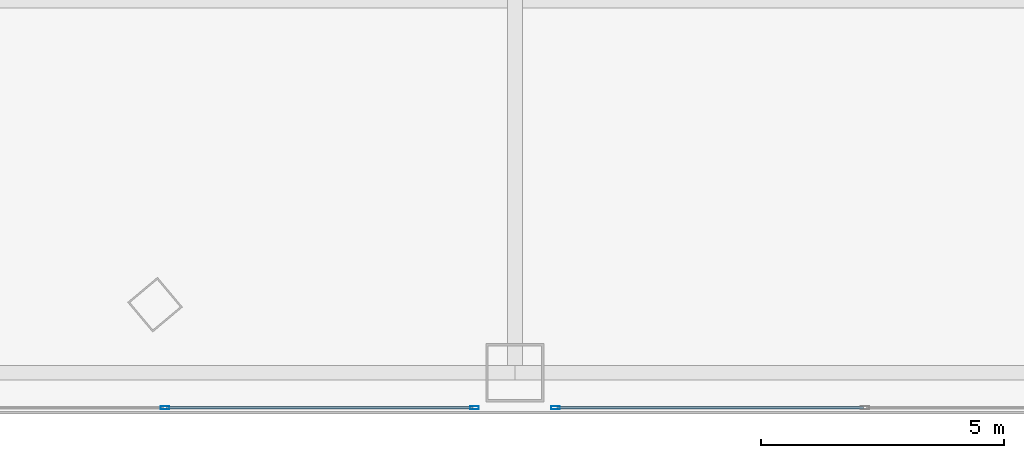
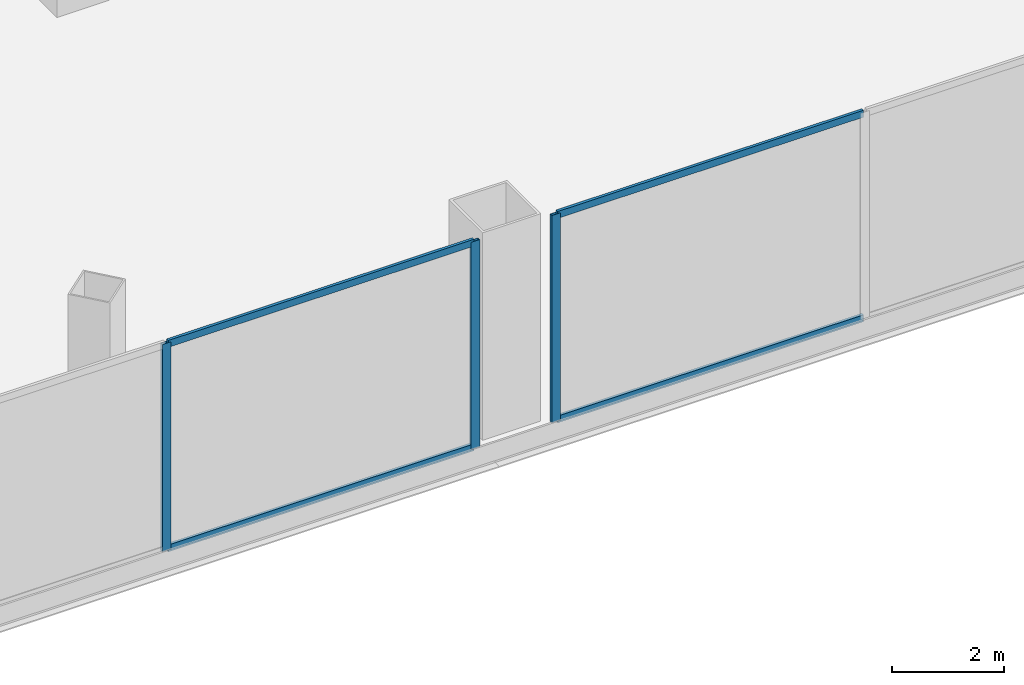
# One storey, part 13 of 40: 7 members, 2 elements without a shape of their own.
"""IFC4 building model written with IfcOpenShell, lengths in metres."""

from ifc_helpers import new_model, si_unit, direction, frame, origin, origin_2d, place, context, subcontext, project, spatial, hollow_rectangle, extrude, source, transform, mapped, material, layer, layer_set, material_profile, profile_set, type_object, element, aggregate, save


model = new_model("IFC4")

# Units and contexts
model_context = context("Model", 3, precision=1e-05, world=origin(), true_north=direction((0.0, 1.0)))
body_context = subcontext(model_context, "Body", "Model", "MODEL_VIEW")
ifc_project = project(units=[si_unit("LENGTHUNIT", "METRE"), si_unit("AREAUNIT", "SQUARE_METRE"), si_unit("VOLUMEUNIT", "CUBIC_METRE"), si_unit("PLANEANGLEUNIT", "RADIAN"), si_unit("MASSUNIT", "GRAM", prefix="KILO"), si_unit("THERMODYNAMICTEMPERATUREUNIT", "KELVIN"), si_unit("POWERUNIT", "WATT")], contexts=[model_context])

# Site, building, storey
site_placement = place(None, origin())
site = spatial("IfcSite", under=ifc_project, at=site_placement, CompositionType="ELEMENT")
building_placement = place(site_placement, origin())
building = spatial("IfcBuilding", under=site, at=building_placement, Name="Yunzhuo Pagoda Commons", CompositionType="ELEMENT")
storey_placement = place(building_placement, frame((0.0, 0.0, 14.39990234375)))
storey = spatial("IfcBuildingStorey", under=building, at=storey_placement, Name="L04", CompositionType="ELEMENT", Elevation=14.39990234375)

# Curtain wall, members
ifc_material = material(Name="Anodized aluminium 6063-T6", Category="aluminium")
ifc_layer = layer(ifc_material, 0.179931640625)
ifc_layer_set = layer_set([ifc_layer], Name="Anodized aluminium 6063-T6")
curtain_wall_type = type_object("IfcCurtainWallType", Name="CW-POD Waterfront Podium Curtain Wall", PredefinedType="NOTDEFINED", material=ifc_layer_set)
curtain_wall_1_placement = place(storey_placement, origin())
curtain_wall_1 = element("IfcCurtainWall", 1, at=curtain_wall_1_placement, inside=storey, type_object=curtain_wall_type, Name="L04 curtain wall CW-L04-S4", PredefinedType="NOTDEFINED")
ifc_material_profile_1 = material_profile(ifc_material, hollow_rectangle(XDim=0.06494140625, YDim=0.179931640625, WallThickness=0.00390625, at=origin_2d()), Name="Anodized aluminium 6063-T6")
ifc_profile_set_1 = profile_set([ifc_material_profile_1], Name="Anodized aluminium 6063-T6")
member_type_1 = type_object("IfcMemberType", Name="CW-POD-M Mullion RHS 180x65x4", PredefinedType="MULLION", material=ifc_profile_set_1)
shared_shape_1 = source(origin(), body_context, "Body", "SweptSolid", [
    extrude(hollow_rectangle(XDim=0.06494140625, YDim=0.179931640625, WallThickness=0.00390625, at=origin_2d()), origin(), (0.0, 0.0, 1.0), 4.52001953125),
])
member_1_placement = place(storey_placement, frame((69.60009765625, 6.080078125, 0.0), z_axis=(0.0, 0.0, 1.0), x_axis=(0.0, 1.0, 0.0)))
member_1 = element("IfcMember", 2, at=member_1_placement, type_object=member_type_1, Name="CW mullion 2", PredefinedType="MULLION", context=body_context, shape_type="MappedRepresentation", body=[
    mapped(shared_shape_1, transform((0.0, 0.0, 0.0), scale=1.0)),
])
member_2_placement = place(storey_placement, frame((75.967529296875, 6.080078125, 0.0), z_axis=(0.0, 0.0, 1.0), x_axis=(0.0, 1.0, 0.0)))
member_2 = element("IfcMember", 3, at=member_2_placement, type_object=member_type_1, Name="CW mullion 3", PredefinedType="MULLION", context=body_context, shape_type="MappedRepresentation", body=[
    mapped(shared_shape_1, transform((0.0, 0.0, 0.0), scale=1.0)),
])

# Curtain wall, member
curtain_wall_2_placement = place(storey_placement, origin())
curtain_wall_2 = element("IfcCurtainWall", 4, at=curtain_wall_2_placement, inside=storey, type_object=curtain_wall_type, Name="L04 curtain wall CW-L04-S5", PredefinedType="NOTDEFINED")
member_3_placement = place(storey_placement, frame((77.632568359375, 6.080078125, 0.0), z_axis=(0.0, 0.0, 1.0), x_axis=(0.0, 1.0, 0.0)))
member_3 = element("IfcMember", 5, at=member_3_placement, type_object=member_type_1, Name="CW mullion 1", PredefinedType="MULLION", context=body_context, shape_type="MappedRepresentation", body=[
    mapped(shared_shape_1, transform((0.0, 0.0, 0.0), scale=1.0)),
])

# Member
ifc_material_profile_2 = material_profile(ifc_material, hollow_rectangle(XDim=0.06005859375, YDim=0.14990234375, WallThickness=0.00390625, at=origin_2d()), Name="Anodized aluminium 6063-T6")
ifc_profile_set_2 = profile_set([ifc_material_profile_2], Name="Anodized aluminium 6063-T6")
member_type_2 = type_object("IfcMemberType", Name="CW-POD-T Transom RHS 150x60x4", PredefinedType="USERDEFINED", material=ifc_profile_set_2)
shared_shape_2 = source(origin(), body_context, "Body", "SweptSolid", [
    extrude(hollow_rectangle(XDim=0.06005859375, YDim=0.14990234375, WallThickness=0.00390625, at=origin_2d()), origin(), (0.0, 0.0, 1.0), 6.302490234375),
])
member_4_placement = place(storey_placement, frame((69.632568359375, 6.080078125, 0.030029296875), z_axis=(1.0, 0.0, 0.0), x_axis=(0.0, 1.0, 0.0)))
member_4 = element("IfcMember", 6, at=member_4_placement, type_object=member_type_2, Name="CW transom 2.1", ObjectType="TRANSOM", PredefinedType="USERDEFINED", context=body_context, shape_type="MappedRepresentation", body=[
    mapped(shared_shape_2, transform((0.0, 0.0, 0.0), scale=1.0)),
])

member_5_placement = place(storey_placement, frame((69.632568359375, 6.080078125, 4.489990234375), z_axis=(1.0, 0.0, 0.0), x_axis=(0.0, 1.0, 0.0)))
member_5 = element("IfcMember", 7, at=member_5_placement, type_object=member_type_2, Name="CW transom 2.2", ObjectType="TRANSOM", PredefinedType="USERDEFINED", context=body_context, shape_type="MappedRepresentation", body=[
    mapped(shared_shape_2, transform((0.0, 0.0, 0.0), scale=1.0)),
])

aggregate(curtain_wall_1, [member_1, member_2, member_4, member_5])

member_6_placement = place(storey_placement, frame((77.6650390625, 6.080078125, 0.030029296875), z_axis=(1.0, 0.0, 0.0), x_axis=(0.0, 1.0, 0.0)))
member_6 = element("IfcMember", 8, at=member_6_placement, type_object=member_type_2, Name="CW transom 1.1", ObjectType="TRANSOM", PredefinedType="USERDEFINED", context=body_context, shape_type="MappedRepresentation", body=[
    mapped(shared_shape_2, transform((0.0, 0.0, 0.0), scale=1.0)),
])

member_7_placement = place(storey_placement, frame((77.6650390625, 6.080078125, 4.489990234375), z_axis=(1.0, 0.0, 0.0), x_axis=(0.0, 1.0, 0.0)))
member_7 = element("IfcMember", 9, at=member_7_placement, type_object=member_type_2, Name="CW transom 1.2", ObjectType="TRANSOM", PredefinedType="USERDEFINED", context=body_context, shape_type="MappedRepresentation", body=[
    mapped(shared_shape_2, transform((0.0, 0.0, 0.0), scale=1.0)),
])

aggregate(curtain_wall_2, [member_3, member_6, member_7])

save(model, "model.ifc")
